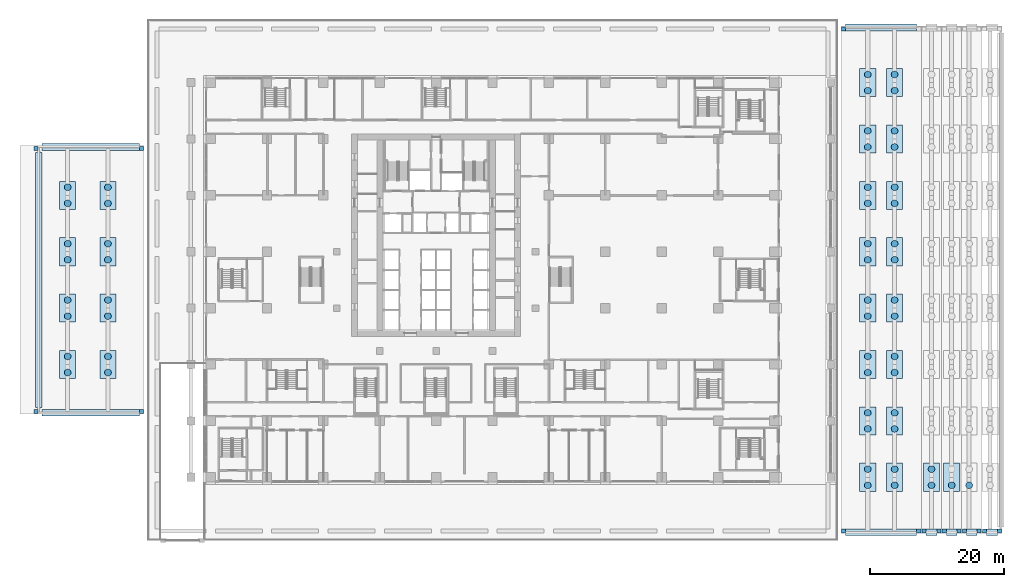
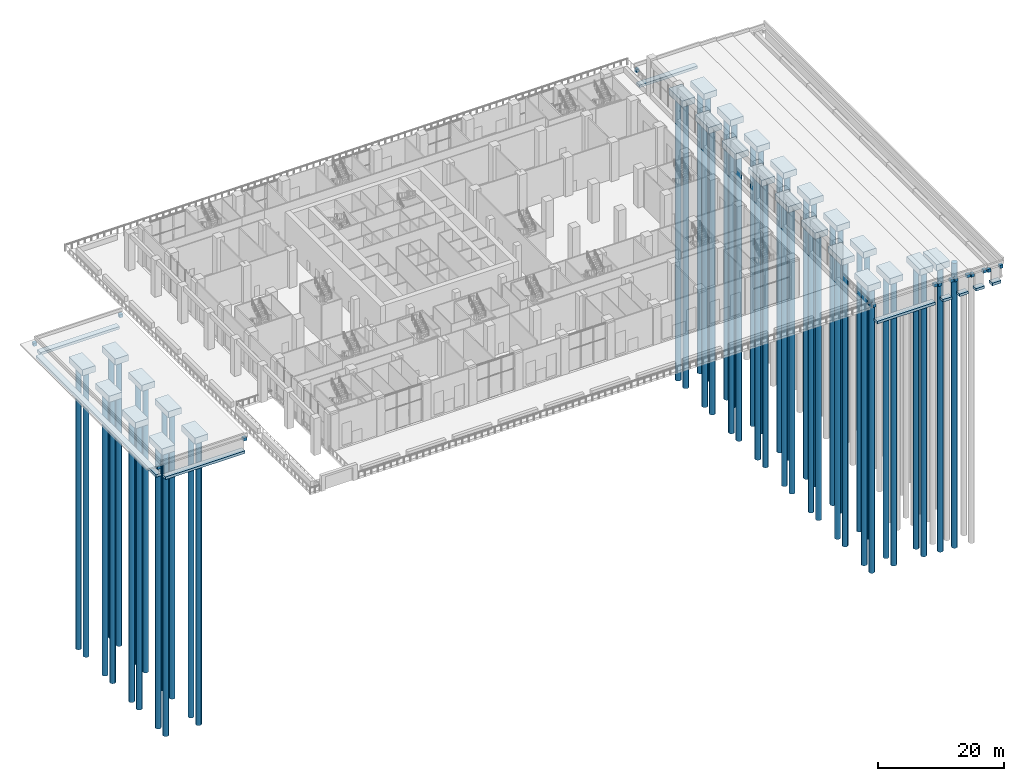
# One storey, part 1 of 53: 52 piles, 50 footings.
"""IFC4 building model written with IfcOpenShell, lengths in metres."""

from ifc_helpers import new_model, si_unit, direction, frame, origin, origin_2d, place, context, subcontext, project, spatial, polyline, circle, outline, extrude, material, layer, layer_set, type_object, element, save


model = new_model("IFC4")

# Units and contexts
model_context = context("Model", 3, precision=1e-05, world=origin(), true_north=direction((0.0, 1.0)))
body_context = subcontext(model_context, "Body", "Model", "MODEL_VIEW")
ifc_project = project(units=[si_unit("LENGTHUNIT", "METRE"), si_unit("AREAUNIT", "SQUARE_METRE"), si_unit("VOLUMEUNIT", "CUBIC_METRE"), si_unit("PLANEANGLEUNIT", "RADIAN"), si_unit("MASSUNIT", "GRAM", prefix="KILO")], contexts=[model_context])

# Site, building, storey
site_placement = place(None, origin())
site = spatial("IfcSite", under=ifc_project, at=site_placement, CompositionType="ELEMENT")
building_placement = place(site_placement, origin())
building = spatial("IfcBuilding", under=site, at=building_placement, Name="Vermilion Ogive Tower", CompositionType="ELEMENT")
storey_placement = place(building_placement, origin())
storey = spatial("IfcBuildingStorey", under=building, at=storey_placement, Name="L00", CompositionType="ELEMENT", Elevation=0.0)

# Piles
ifc_material_1 = material(Name="Concrete B45", Category="concrete")
pile_type = type_object("IfcPileType", Name="Quay bored pile QP1 D1000", PredefinedType="BORED", material=ifc_material_1)
for number, where, z_axis, x_axis, name in (
    (1, (64.300048828125, -30.60009765625, -2.5), (0.0, 0.0, -1.0), (1.0, 0.0, 0.0), "Quay pile SITE-PROM-L0 1.1"),
    (2, (64.300048828125, -28.199951171875, -2.5), (0.0, 0.0, -1.0), (1.0, 0.0, 0.0), "Quay pile SITE-PROM-L0 1.2"),
    (3, (64.300048828125, -22.199951171875, -2.5), (0.0, 0.0, -1.0), (1.0, 0.0, 0.0), "Quay pile SITE-PROM-L0 2.1"),
    (4, (64.300048828125, -19.800048828125, -2.5), (0.0, 0.0, -1.0), (1.0, 0.0, 0.0), "Quay pile SITE-PROM-L0 2.2"),
    (5, (64.300048828125, -13.800048828125, -2.5), (0.0, 0.0, -1.0), (1.0, 0.0, 0.0), "Quay pile SITE-PROM-L0 3.1"),
    (6, (64.300048828125, -11.39990234375, -2.5), (0.0, 0.0, -1.0), (1.0, 0.0, 0.0), "Quay pile SITE-PROM-L0 3.2"),
    (7, (64.300048828125, -5.39990234375, -2.5), (0.0, 0.0, -1.0), (1.0, 0.0, 0.0), "Quay pile SITE-PROM-L0 4.1"),
    (8, (64.300048828125, -3.0, -2.5), (0.0, 0.0, -1.0), (1.0, 0.0, 0.0), "Quay pile SITE-PROM-L0 4.2"),
    (9, (64.300048828125, 3.0, -2.5), (0.0, 0.0, -1.0), (1.0, 0.0, 0.0), "Quay pile SITE-PROM-L0 5.1"),
    (10, (64.300048828125, 5.39990234375, -2.5), (0.0, 0.0, -1.0), (1.0, 0.0, 0.0), "Quay pile SITE-PROM-L0 5.2"),
    (11, (64.300048828125, 11.39990234375, -2.5), (0.0, 0.0, -1.0), (1.0, 0.0, 0.0), "Quay pile SITE-PROM-L0 6.1"),
    (12, (64.300048828125, 13.800048828125, -2.5), (0.0, 0.0, -1.0), (1.0, 0.0, 0.0), "Quay pile SITE-PROM-L0 6.2"),
    (13, (64.300048828125, 19.800048828125, -2.5), (0.0, 0.0, -1.0), (1.0, 0.0, 0.0), "Quay pile SITE-PROM-L0 7.1"),
    (14, (64.300048828125, 22.199951171875, -2.5), (0.0, 0.0, -1.0), (1.0, 0.0, 0.0), "Quay pile SITE-PROM-L0 7.2"),
    (15, (64.300048828125, 28.199951171875, -2.5), (0.0, 0.0, -1.0), (1.0, 0.0, 0.0), "Quay pile SITE-PROM-L0 8.1"),
    (16, (64.300048828125, 30.60009765625, -2.5), (0.0, 0.0, -1.0), (1.0, 0.0, 0.0), "Quay pile SITE-PROM-L0 8.2"),
    (17, (68.300048828125, -30.60009765625, -2.5), (0.0, 0.0, -1.0), (1.0, 0.0, 0.0), "Quay pile SITE-PROM-L1 1.1"),
    (18, (68.300048828125, -28.199951171875, -2.5), (0.0, 0.0, -1.0), (1.0, 0.0, 0.0), "Quay pile SITE-PROM-L1 1.2"),
    (19, (68.300048828125, -22.199951171875, -2.5), (0.0, 0.0, -1.0), (1.0, 0.0, 0.0), "Quay pile SITE-PROM-L1 2.1"),
    (20, (68.300048828125, -19.800048828125, -2.5), (0.0, 0.0, -1.0), (1.0, 0.0, 0.0), "Quay pile SITE-PROM-L1 2.2"),
    (21, (68.300048828125, -13.800048828125, -2.5), (0.0, 0.0, -1.0), (1.0, 0.0, 0.0), "Quay pile SITE-PROM-L1 3.1"),
    (22, (68.300048828125, -11.39990234375, -2.5), (0.0, 0.0, -1.0), (1.0, 0.0, 0.0), "Quay pile SITE-PROM-L1 3.2"),
    (23, (68.300048828125, -5.39990234375, -2.5), (0.0, 0.0, -1.0), (1.0, 0.0, 0.0), "Quay pile SITE-PROM-L1 4.1"),
    (24, (68.300048828125, -3.0, -2.5), (0.0, 0.0, -1.0), (1.0, 0.0, 0.0), "Quay pile SITE-PROM-L1 4.2"),
    (25, (68.300048828125, 3.0, -2.5), (0.0, 0.0, -1.0), (1.0, 0.0, 0.0), "Quay pile SITE-PROM-L1 5.1"),
    (26, (68.300048828125, 5.39990234375, -2.5), (0.0, 0.0, -1.0), (1.0, 0.0, 0.0), "Quay pile SITE-PROM-L1 5.2"),
    (27, (68.300048828125, 11.39990234375, -2.5), (0.0, 0.0, -1.0), (1.0, 0.0, 0.0), "Quay pile SITE-PROM-L1 6.1"),
    (28, (68.300048828125, 13.800048828125, -2.5), (0.0, 0.0, -1.0), (1.0, 0.0, 0.0), "Quay pile SITE-PROM-L1 6.2"),
    (29, (68.300048828125, 19.800048828125, -2.5), (0.0, 0.0, -1.0), (1.0, 0.0, 0.0), "Quay pile SITE-PROM-L1 7.1"),
    (30, (68.300048828125, 22.199951171875, -2.5), (0.0, 0.0, -1.0), (1.0, 0.0, 0.0), "Quay pile SITE-PROM-L1 7.2"),
    (31, (68.300048828125, 28.199951171875, -2.5), (0.0, 0.0, -1.0), (1.0, 0.0, 0.0), "Quay pile SITE-PROM-L1 8.1"),
    (32, (68.300048828125, 30.60009765625, -2.5), (0.0, 0.0, -1.0), (1.0, 0.0, 0.0), "Quay pile SITE-PROM-L1 8.2"),
    (33, (73.800048828125, -30.60009765625, -2.64990234375), (0.0, 0.0, -1.0), (1.0, 0.0, 0.0), "Quay pile SITE-STEP-1-L 1.1"),
    (34, (73.800048828125, -28.199951171875, -2.64990234375), (0.0, 0.0, -1.0), (1.0, 0.0, 0.0), "Quay pile SITE-STEP-1-L 1.2"),
    (35, (76.800048828125, -30.60009765625, -2.800048828125), (0.0, 0.0, -1.0), (1.0, 0.0, 0.0), "Quay pile SITE-STEP-2-L 1.1"),
    (36, (79.39990234375, -30.60009765625, -2.949951171875), (0.0, 0.0, -1.0), (1.0, 0.0, 0.0), "Quay pile SITE-STEP-3-L 1.1"),
    (37, (-54.89990234375, -13.800048828125, -2.449951171875), (0.0, 0.0, -1.0), (1.0, 0.0, 0.0), "Quay pile SITE-DROP-L0 1.1"),
    (38, (-54.89990234375, -11.39990234375, -2.449951171875), (0.0, 0.0, -1.0), (1.0, 0.0, 0.0), "Quay pile SITE-DROP-L0 1.2"),
    (39, (-54.89990234375, -5.39990234375, -2.449951171875), (0.0, 0.0, -1.0), (1.0, 0.0, 0.0), "Quay pile SITE-DROP-L0 2.1"),
    (40, (-54.89990234375, -3.0, -2.449951171875), (0.0, 0.0, -1.0), (1.0, 0.0, 0.0), "Quay pile SITE-DROP-L0 2.2"),
    (41, (-54.89990234375, 3.0, -2.449951171875), (0.0, 0.0, -1.0), (1.0, 0.0, 0.0), "Quay pile SITE-DROP-L0 3.1"),
    (42, (-54.89990234375, 5.39990234375, -2.449951171875), (0.0, 0.0, -1.0), (1.0, 0.0, 0.0), "Quay pile SITE-DROP-L0 3.2"),
    (43, (-54.89990234375, 11.39990234375, -2.449951171875), (0.0, 0.0, -1.0), (1.0, 0.0, 0.0), "Quay pile SITE-DROP-L0 4.1"),
    (44, (-54.89990234375, 13.800048828125, -2.449951171875), (0.0, 0.0, -1.0), (1.0, 0.0, 0.0), "Quay pile SITE-DROP-L0 4.2"),
    (45, (-48.89990234375, -13.800048828125, -2.449951171875), (0.0, 0.0, -1.0), (1.0, 0.0, 0.0), "Quay pile SITE-DROP-L1 1.1"),
    (46, (-48.89990234375, -11.39990234375, -2.449951171875), (0.0, 0.0, -1.0), (1.0, 0.0, 0.0), "Quay pile SITE-DROP-L1 1.2"),
    (47, (-48.89990234375, -5.39990234375, -2.449951171875), (0.0, 0.0, -1.0), (1.0, 0.0, 0.0), "Quay pile SITE-DROP-L1 2.1"),
    (48, (-48.89990234375, -3.0, -2.449951171875), (0.0, 0.0, -1.0), (1.0, 0.0, 0.0), "Quay pile SITE-DROP-L1 2.2"),
    (49, (-48.89990234375, 3.0, -2.449951171875), (0.0, 0.0, -1.0), (1.0, 0.0, 0.0), "Quay pile SITE-DROP-L1 3.1"),
    (50, (-48.89990234375, 5.39990234375, -2.449951171875), (0.0, 0.0, -1.0), (1.0, 0.0, 0.0), "Quay pile SITE-DROP-L1 3.2"),
    (51, (-48.89990234375, 11.39990234375, -2.449951171875), (0.0, 0.0, -1.0), (1.0, 0.0, 0.0), "Quay pile SITE-DROP-L1 4.1"),
    (52, (-48.89990234375, 13.800048828125, -2.449951171875), (0.0, 0.0, -1.0), (1.0, 0.0, 0.0), "Quay pile SITE-DROP-L1 4.2"),
):
    element("IfcPile", number, at=place(storey_placement, frame(where, z_axis=z_axis, x_axis=x_axis)), inside=storey, type_object=pile_type, Name=name, PredefinedType="BORED", context=body_context, shape_type="SweptSolid", body=[
        extrude(circle(Radius=0.5, at=origin_2d()), origin(), (0.0, 0.0, 1.0), 55.0),
    ])

# Footings
ifc_material_2 = material(Name="Concrete B50", Category="concrete")
ifc_layer_1 = layer(ifc_material_2, 1.199951171875)
ifc_layer_set_1 = layer_set([ifc_layer_1], Name="Quay pile cap QC1")
footing_type_1 = type_object("IfcFootingType", Name="Quay pile cap QC1", PredefinedType="PILE_CAP", material=ifc_layer_set_1)
footing_1_placement = place(storey_placement, frame((0.0, 0.0, -2.60009765625)))
element("IfcFooting", 53, at=footing_1_placement, inside=storey, type_object=footing_type_1, Name="Quay pile cap SITE-PROM-L0 1", PredefinedType="PILE_CAP", context=body_context, shape_type="SweptSolid", body=[
    extrude(outline(polyline([(65.5, -31.5), (65.5, -27.300048828125), (63.10009765625, -27.300048828125), (63.10009765625, -31.5), (65.5, -31.5)])), origin(), (0.0, 0.0, 1.0), 1.199951171875),
])
footing_2_placement = place(storey_placement, frame((0.0, 0.0, -2.60009765625)))
element("IfcFooting", 54, at=footing_2_placement, inside=storey, type_object=footing_type_1, Name="Quay pile cap SITE-PROM-L0 2", PredefinedType="PILE_CAP", context=body_context, shape_type="SweptSolid", body=[
    extrude(outline(polyline([(65.5, -23.10009765625), (65.5, -18.89990234375), (63.10009765625, -18.89990234375), (63.10009765625, -23.10009765625), (65.5, -23.10009765625)])), origin(), (0.0, 0.0, 1.0), 1.199951171875),
])
footing_3_placement = place(storey_placement, frame((0.0, 0.0, -2.60009765625)))
element("IfcFooting", 55, at=footing_3_placement, inside=storey, type_object=footing_type_1, Name="Quay pile cap SITE-PROM-L0 3", PredefinedType="PILE_CAP", context=body_context, shape_type="SweptSolid", body=[
    extrude(outline(polyline([(65.5, -14.699951171875), (65.5, -10.5), (63.10009765625, -10.5), (63.10009765625, -14.699951171875), (65.5, -14.699951171875)])), origin(), (0.0, 0.0, 1.0), 1.199951171875),
])
footing_4_placement = place(storey_placement, frame((0.0, 0.0, -2.60009765625)))
element("IfcFooting", 56, at=footing_4_placement, inside=storey, type_object=footing_type_1, Name="Quay pile cap SITE-PROM-L0 4", PredefinedType="PILE_CAP", context=body_context, shape_type="SweptSolid", body=[
    extrude(outline(polyline([(65.5, -6.300048828125), (65.5, -2.10009765625), (63.10009765625, -2.10009765625), (63.10009765625, -6.300048828125), (65.5, -6.300048828125)])), origin(), (0.0, 0.0, 1.0), 1.199951171875),
])
footing_5_placement = place(storey_placement, frame((0.0, 0.0, -2.60009765625)))
element("IfcFooting", 57, at=footing_5_placement, inside=storey, type_object=footing_type_1, Name="Quay pile cap SITE-PROM-L0 5", PredefinedType="PILE_CAP", context=body_context, shape_type="SweptSolid", body=[
    extrude(outline(polyline([(65.5, 2.10009765625), (65.5, 6.300048828125), (63.10009765625, 6.300048828125), (63.10009765625, 2.10009765625), (65.5, 2.10009765625)])), origin(), (0.0, 0.0, 1.0), 1.199951171875),
])
footing_6_placement = place(storey_placement, frame((0.0, 0.0, -2.60009765625)))
element("IfcFooting", 58, at=footing_6_placement, inside=storey, type_object=footing_type_1, Name="Quay pile cap SITE-PROM-L0 6", PredefinedType="PILE_CAP", context=body_context, shape_type="SweptSolid", body=[
    extrude(outline(polyline([(65.5, 10.5), (65.5, 14.699951171875), (63.10009765625, 14.699951171875), (63.10009765625, 10.5), (65.5, 10.5)])), origin(), (0.0, 0.0, 1.0), 1.199951171875),
])
footing_7_placement = place(storey_placement, frame((0.0, 0.0, -2.60009765625)))
element("IfcFooting", 59, at=footing_7_placement, inside=storey, type_object=footing_type_1, Name="Quay pile cap SITE-PROM-L0 7", PredefinedType="PILE_CAP", context=body_context, shape_type="SweptSolid", body=[
    extrude(outline(polyline([(65.5, 18.89990234375), (65.5, 23.10009765625), (63.10009765625, 23.10009765625), (63.10009765625, 18.89990234375), (65.5, 18.89990234375)])), origin(), (0.0, 0.0, 1.0), 1.199951171875),
])
footing_8_placement = place(storey_placement, frame((0.0, 0.0, -2.60009765625)))
element("IfcFooting", 60, at=footing_8_placement, inside=storey, type_object=footing_type_1, Name="Quay pile cap SITE-PROM-L0 8", PredefinedType="PILE_CAP", context=body_context, shape_type="SweptSolid", body=[
    extrude(outline(polyline([(65.5, 27.300048828125), (65.5, 31.5), (63.10009765625, 31.5), (63.10009765625, 27.300048828125), (65.5, 27.300048828125)])), origin(), (0.0, 0.0, 1.0), 1.199951171875),
])
footing_9_placement = place(storey_placement, frame((0.0, 0.0, -2.60009765625)))
element("IfcFooting", 61, at=footing_9_placement, inside=storey, type_object=footing_type_1, Name="Quay pile cap SITE-PROM-L1 1", PredefinedType="PILE_CAP", context=body_context, shape_type="SweptSolid", body=[
    extrude(outline(polyline([(69.5, -31.5), (69.5, -27.300048828125), (67.10009765625, -27.300048828125), (67.10009765625, -31.5), (69.5, -31.5)])), origin(), (0.0, 0.0, 1.0), 1.199951171875),
])
footing_10_placement = place(storey_placement, frame((0.0, 0.0, -2.60009765625)))
element("IfcFooting", 62, at=footing_10_placement, inside=storey, type_object=footing_type_1, Name="Quay pile cap SITE-PROM-L1 2", PredefinedType="PILE_CAP", context=body_context, shape_type="SweptSolid", body=[
    extrude(outline(polyline([(69.5, -23.10009765625), (69.5, -18.89990234375), (67.10009765625, -18.89990234375), (67.10009765625, -23.10009765625), (69.5, -23.10009765625)])), origin(), (0.0, 0.0, 1.0), 1.199951171875),
])
footing_11_placement = place(storey_placement, frame((0.0, 0.0, -2.60009765625)))
element("IfcFooting", 63, at=footing_11_placement, inside=storey, type_object=footing_type_1, Name="Quay pile cap SITE-PROM-L1 3", PredefinedType="PILE_CAP", context=body_context, shape_type="SweptSolid", body=[
    extrude(outline(polyline([(69.5, -14.699951171875), (69.5, -10.5), (67.10009765625, -10.5), (67.10009765625, -14.699951171875), (69.5, -14.699951171875)])), origin(), (0.0, 0.0, 1.0), 1.199951171875),
])
footing_12_placement = place(storey_placement, frame((0.0, 0.0, -2.60009765625)))
element("IfcFooting", 64, at=footing_12_placement, inside=storey, type_object=footing_type_1, Name="Quay pile cap SITE-PROM-L1 4", PredefinedType="PILE_CAP", context=body_context, shape_type="SweptSolid", body=[
    extrude(outline(polyline([(69.5, -6.300048828125), (69.5, -2.10009765625), (67.10009765625, -2.10009765625), (67.10009765625, -6.300048828125), (69.5, -6.300048828125)])), origin(), (0.0, 0.0, 1.0), 1.199951171875),
])
footing_13_placement = place(storey_placement, frame((0.0, 0.0, -2.60009765625)))
element("IfcFooting", 65, at=footing_13_placement, inside=storey, type_object=footing_type_1, Name="Quay pile cap SITE-PROM-L1 5", PredefinedType="PILE_CAP", context=body_context, shape_type="SweptSolid", body=[
    extrude(outline(polyline([(69.5, 2.10009765625), (69.5, 6.300048828125), (67.10009765625, 6.300048828125), (67.10009765625, 2.10009765625), (69.5, 2.10009765625)])), origin(), (0.0, 0.0, 1.0), 1.199951171875),
])
footing_14_placement = place(storey_placement, frame((0.0, 0.0, -2.60009765625)))
element("IfcFooting", 66, at=footing_14_placement, inside=storey, type_object=footing_type_1, Name="Quay pile cap SITE-PROM-L1 6", PredefinedType="PILE_CAP", context=body_context, shape_type="SweptSolid", body=[
    extrude(outline(polyline([(69.5, 10.5), (69.5, 14.699951171875), (67.10009765625, 14.699951171875), (67.10009765625, 10.5), (69.5, 10.5)])), origin(), (0.0, 0.0, 1.0), 1.199951171875),
])
footing_15_placement = place(storey_placement, frame((0.0, 0.0, -2.60009765625)))
element("IfcFooting", 67, at=footing_15_placement, inside=storey, type_object=footing_type_1, Name="Quay pile cap SITE-PROM-L1 7", PredefinedType="PILE_CAP", context=body_context, shape_type="SweptSolid", body=[
    extrude(outline(polyline([(69.5, 18.89990234375), (69.5, 23.10009765625), (67.10009765625, 23.10009765625), (67.10009765625, 18.89990234375), (69.5, 18.89990234375)])), origin(), (0.0, 0.0, 1.0), 1.199951171875),
])
footing_16_placement = place(storey_placement, frame((0.0, 0.0, -2.60009765625)))
element("IfcFooting", 68, at=footing_16_placement, inside=storey, type_object=footing_type_1, Name="Quay pile cap SITE-PROM-L1 8", PredefinedType="PILE_CAP", context=body_context, shape_type="SweptSolid", body=[
    extrude(outline(polyline([(69.5, 27.300048828125), (69.5, 31.5), (67.10009765625, 31.5), (67.10009765625, 27.300048828125), (69.5, 27.300048828125)])), origin(), (0.0, 0.0, 1.0), 1.199951171875),
])
footing_17_placement = place(storey_placement, frame((0.0, 0.0, -2.75)))
element("IfcFooting", 69, at=footing_17_placement, inside=storey, type_object=footing_type_1, Name="Quay pile cap SITE-STEP-1-L 1", PredefinedType="PILE_CAP", context=body_context, shape_type="SweptSolid", body=[
    extrude(outline(polyline([(75.0, -31.5), (75.0, -27.300048828125), (72.60009765625, -27.300048828125), (72.60009765625, -31.5), (75.0, -31.5)])), origin(), (0.0, 0.0, 1.0), 1.199951171875),
])
footing_18_placement = place(storey_placement, frame((0.0, 0.0, -2.900146484375)))
element("IfcFooting", 70, at=footing_18_placement, inside=storey, type_object=footing_type_1, Name="Quay pile cap SITE-STEP-2-L 1", PredefinedType="PILE_CAP", context=body_context, shape_type="SweptSolid", body=[
    extrude(outline(polyline([(78.0, -31.5), (78.0, -27.300048828125), (75.60009765625, -27.300048828125), (75.60009765625, -31.5), (78.0, -31.5)])), origin(), (0.0, 0.0, 1.0), 1.199951171875),
])
footing_19_placement = place(storey_placement, frame((0.0, 0.0, -2.550048828125)))
element("IfcFooting", 71, at=footing_19_placement, inside=storey, type_object=footing_type_1, Name="Quay pile cap SITE-DROP-L0 1", PredefinedType="PILE_CAP", context=body_context, shape_type="SweptSolid", body=[
    extrude(outline(polyline([(-53.699951171875, -14.699951171875), (-53.699951171875, -10.5), (-56.099853515625, -10.5), (-56.099853515625, -14.699951171875), (-53.699951171875, -14.699951171875)])), origin(), (0.0, 0.0, 1.0), 1.199951171875),
])
footing_20_placement = place(storey_placement, frame((0.0, 0.0, -2.550048828125)))
element("IfcFooting", 72, at=footing_20_placement, inside=storey, type_object=footing_type_1, Name="Quay pile cap SITE-DROP-L0 2", PredefinedType="PILE_CAP", context=body_context, shape_type="SweptSolid", body=[
    extrude(outline(polyline([(-53.699951171875, -6.300048828125), (-53.699951171875, -2.10009765625), (-56.099853515625, -2.10009765625), (-56.099853515625, -6.300048828125), (-53.699951171875, -6.300048828125)])), origin(), (0.0, 0.0, 1.0), 1.199951171875),
])
footing_21_placement = place(storey_placement, frame((0.0, 0.0, -2.550048828125)))
element("IfcFooting", 73, at=footing_21_placement, inside=storey, type_object=footing_type_1, Name="Quay pile cap SITE-DROP-L0 3", PredefinedType="PILE_CAP", context=body_context, shape_type="SweptSolid", body=[
    extrude(outline(polyline([(-53.699951171875, 2.10009765625), (-53.699951171875, 6.300048828125), (-56.099853515625, 6.300048828125), (-56.099853515625, 2.10009765625), (-53.699951171875, 2.10009765625)])), origin(), (0.0, 0.0, 1.0), 1.199951171875),
])
footing_22_placement = place(storey_placement, frame((0.0, 0.0, -2.550048828125)))
element("IfcFooting", 74, at=footing_22_placement, inside=storey, type_object=footing_type_1, Name="Quay pile cap SITE-DROP-L0 4", PredefinedType="PILE_CAP", context=body_context, shape_type="SweptSolid", body=[
    extrude(outline(polyline([(-53.699951171875, 10.5), (-53.699951171875, 14.699951171875), (-56.099853515625, 14.699951171875), (-56.099853515625, 10.5), (-53.699951171875, 10.5)])), origin(), (0.0, 0.0, 1.0), 1.199951171875),
])
footing_23_placement = place(storey_placement, frame((0.0, 0.0, -2.550048828125)))
element("IfcFooting", 75, at=footing_23_placement, inside=storey, type_object=footing_type_1, Name="Quay pile cap SITE-DROP-L1 1", PredefinedType="PILE_CAP", context=body_context, shape_type="SweptSolid", body=[
    extrude(outline(polyline([(-47.699951171875, -14.699951171875), (-47.699951171875, -10.5), (-50.099853515625, -10.5), (-50.099853515625, -14.699951171875), (-47.699951171875, -14.699951171875)])), origin(), (0.0, 0.0, 1.0), 1.199951171875),
])
footing_24_placement = place(storey_placement, frame((0.0, 0.0, -2.550048828125)))
element("IfcFooting", 76, at=footing_24_placement, inside=storey, type_object=footing_type_1, Name="Quay pile cap SITE-DROP-L1 2", PredefinedType="PILE_CAP", context=body_context, shape_type="SweptSolid", body=[
    extrude(outline(polyline([(-47.699951171875, -6.300048828125), (-47.699951171875, -2.10009765625), (-50.099853515625, -2.10009765625), (-50.099853515625, -6.300048828125), (-47.699951171875, -6.300048828125)])), origin(), (0.0, 0.0, 1.0), 1.199951171875),
])
footing_25_placement = place(storey_placement, frame((0.0, 0.0, -2.550048828125)))
element("IfcFooting", 77, at=footing_25_placement, inside=storey, type_object=footing_type_1, Name="Quay pile cap SITE-DROP-L1 3", PredefinedType="PILE_CAP", context=body_context, shape_type="SweptSolid", body=[
    extrude(outline(polyline([(-47.699951171875, 2.10009765625), (-47.699951171875, 6.300048828125), (-50.099853515625, 6.300048828125), (-50.099853515625, 2.10009765625), (-47.699951171875, 2.10009765625)])), origin(), (0.0, 0.0, 1.0), 1.199951171875),
])
footing_26_placement = place(storey_placement, frame((0.0, 0.0, -2.550048828125)))
element("IfcFooting", 78, at=footing_26_placement, inside=storey, type_object=footing_type_1, Name="Quay pile cap SITE-DROP-L1 4", PredefinedType="PILE_CAP", context=body_context, shape_type="SweptSolid", body=[
    extrude(outline(polyline([(-47.699951171875, 10.5), (-47.699951171875, 14.699951171875), (-50.099853515625, 14.699951171875), (-50.099853515625, 10.5), (-47.699951171875, 10.5)])), origin(), (0.0, 0.0, 1.0), 1.199951171875),
])
ifc_material_3 = material(Name="Concrete B50", Category="concrete")
ifc_layer_2 = layer(ifc_material_3, 0.5)
ifc_layer_set_2 = layer_set([ifc_layer_2], Name="Quay wall footing QF1")
footing_type_2 = type_object("IfcFootingType", Name="Quay wall footing QF1", PredefinedType="STRIP_FOOTING", material=ifc_layer_set_2)
footing_27_placement = place(storey_placement, frame((0.0, 0.0, -4.0)))
element("IfcFooting", 79, at=footing_27_placement, inside=storey, type_object=footing_type_2, Name="Quay wall footing SITE-PROM S", PredefinedType="STRIP_FOOTING", context=body_context, shape_type="SweptSolid", body=[
    extrude(outline(polyline([(71.60009765625, -38.10009765625), (71.60009765625, -37.10009765625), (61.0, -37.10009765625), (61.0, -38.10009765625), (71.60009765625, -38.10009765625)])), origin(), (0.0, 0.0, 1.0), 0.5),
])
footing_28_placement = place(storey_placement, frame((0.0, 0.0, -4.0)))
element("IfcFooting", 80, at=footing_28_placement, inside=storey, type_object=footing_type_2, Name="Quay wall footing SITE-PROM N", PredefinedType="STRIP_FOOTING", context=body_context, shape_type="SweptSolid", body=[
    extrude(outline(polyline([(71.60009765625, 37.10009765625), (71.60009765625, 38.10009765625), (61.0, 38.10009765625), (61.0, 37.10009765625), (71.60009765625, 37.10009765625)])), origin(), (0.0, 0.0, 1.0), 0.5),
])
footing_29_placement = place(storey_placement, frame((0.0, 0.0, -4.0)))
element("IfcFooting", 81, at=footing_29_placement, inside=storey, type_object=footing_type_2, Name="Quay wall footing SITE-STEP-1 S", PredefinedType="STRIP_FOOTING", context=body_context, shape_type="SweptSolid", body=[
    extrude(outline(polyline([(74.60009765625, -38.10009765625), (74.60009765625, -37.10009765625), (73.0, -37.10009765625), (73.0, -38.10009765625), (74.60009765625, -38.10009765625)])), origin(), (0.0, 0.0, 1.0), 0.5),
])
footing_30_placement = place(storey_placement, frame((0.0, 0.0, -4.0)))
element("IfcFooting", 82, at=footing_30_placement, inside=storey, type_object=footing_type_2, Name="Quay wall footing SITE-STEP-2 S", PredefinedType="STRIP_FOOTING", context=body_context, shape_type="SweptSolid", body=[
    extrude(outline(polyline([(77.60009765625, -38.10009765625), (77.60009765625, -37.10009765625), (76.0, -37.10009765625), (76.0, -38.10009765625), (77.60009765625, -38.10009765625)])), origin(), (0.0, 0.0, 1.0), 0.5),
])
footing_31_placement = place(storey_placement, frame((0.0, 0.0, -4.0)))
element("IfcFooting", 83, at=footing_31_placement, inside=storey, type_object=footing_type_2, Name="Quay wall footing SITE-STEP-3 S", PredefinedType="STRIP_FOOTING", context=body_context, shape_type="SweptSolid", body=[
    extrude(outline(polyline([(80.60009765625, -38.10009765625), (80.60009765625, -37.10009765625), (79.0, -37.10009765625), (79.0, -38.10009765625), (80.60009765625, -38.10009765625)])), origin(), (0.0, 0.0, 1.0), 0.5),
])
footing_32_placement = place(storey_placement, frame((0.0, 0.0, -4.0)))
element("IfcFooting", 84, at=footing_32_placement, inside=storey, type_object=footing_type_2, Name="Quay wall footing SITE-STEP-4 S", PredefinedType="STRIP_FOOTING", context=body_context, shape_type="SweptSolid", body=[
    extrude(outline(polyline([(83.60009765625, -38.10009765625), (83.60009765625, -37.10009765625), (82.0, -37.10009765625), (82.0, -38.10009765625), (83.60009765625, -38.10009765625)])), origin(), (0.0, 0.0, 1.0), 0.5),
])
footing_33_placement = place(storey_placement, frame((0.0, 0.0, -2.949951171875)))
element("IfcFooting", 85, at=footing_33_placement, inside=storey, type_object=footing_type_2, Name="Quay wall footing SITE-DROP S", PredefinedType="STRIP_FOOTING", context=body_context, shape_type="SweptSolid", body=[
    extrude(outline(polyline([(-44.199951171875, -20.300048828125), (-44.199951171875, -19.300048828125), (-58.699951171875, -19.300048828125), (-58.699951171875, -20.300048828125), (-44.199951171875, -20.300048828125)])), origin(), (0.0, 0.0, 1.0), 0.5),
])
footing_34_placement = place(storey_placement, frame((0.0, 0.0, -2.949951171875)))
element("IfcFooting", 86, at=footing_34_placement, inside=storey, type_object=footing_type_2, Name="Quay wall footing SITE-DROP N", PredefinedType="STRIP_FOOTING", context=body_context, shape_type="SweptSolid", body=[
    extrude(outline(polyline([(-44.199951171875, 19.300048828125), (-44.199951171875, 20.300048828125), (-58.699951171875, 20.300048828125), (-58.699951171875, 19.300048828125), (-44.199951171875, 19.300048828125)])), origin(), (0.0, 0.0, 1.0), 0.5),
])
footing_35_placement = place(storey_placement, frame((0.0, 0.0, -2.949951171875)))
element("IfcFooting", 87, at=footing_35_placement, inside=storey, type_object=footing_type_2, Name="Quay wall footing SITE-DROP W", PredefinedType="STRIP_FOOTING", context=body_context, shape_type="SweptSolid", body=[
    extrude(outline(polyline([(-58.699951171875, -19.0), (-58.699951171875, 19.0), (-59.699951171875, 19.0), (-59.699951171875, -19.0), (-58.699951171875, -19.0)])), origin(), (0.0, 0.0, 1.0), 0.5),
])
ifc_material_4 = material(Name="Concrete B50", Category="concrete")
ifc_layer_3 = layer(ifc_material_4, 0.60009765625)
ifc_layer_set_3 = layer_set([ifc_layer_3], Name="Site pad footing SF1")
footing_type_3 = type_object("IfcFootingType", Name="Site pad footing SF1", PredefinedType="PAD_FOOTING", material=ifc_layer_set_3)
footing_36_placement = place(storey_placement, frame((0.0, 0.0, -0.89990234375)))
element("IfcFooting", 88, at=footing_36_placement, inside=storey, type_object=footing_type_3, Name="Site pad footing SITE-PROM-1", PredefinedType="PAD_FOOTING", context=body_context, shape_type="SweptSolid", body=[
    extrude(outline(polyline([(61.0, -37.699951171875), (61.0, -37.099853515625), (60.39990234375, -37.099853515625), (60.39990234375, -37.699951171875), (61.0, -37.699951171875)])), origin(), (0.0, 0.0, 1.0), 0.599853515625),
])
footing_37_placement = place(storey_placement, frame((0.0, 0.0, -0.89990234375)))
element("IfcFooting", 89, at=footing_37_placement, inside=storey, type_object=footing_type_3, Name="Site pad footing SITE-PROM-2", PredefinedType="PAD_FOOTING", context=body_context, shape_type="SweptSolid", body=[
    extrude(outline(polyline([(72.2001953125, -37.699951171875), (72.2001953125, -37.099853515625), (71.60009765625, -37.099853515625), (71.60009765625, -37.699951171875), (72.2001953125, -37.699951171875)])), origin(), (0.0, 0.0, 1.0), 0.599853515625),
])
footing_38_placement = place(storey_placement, frame((0.0, 0.0, -0.89990234375)))
element("IfcFooting", 90, at=footing_38_placement, inside=storey, type_object=footing_type_3, Name="Site pad footing SITE-PROM-3", PredefinedType="PAD_FOOTING", context=body_context, shape_type="SweptSolid", body=[
    extrude(outline(polyline([(61.0, 37.10009765625), (61.0, 37.7001953125), (60.39990234375, 37.7001953125), (60.39990234375, 37.10009765625), (61.0, 37.10009765625)])), origin(), (0.0, 0.0, 1.0), 0.599853515625),
])
footing_39_placement = place(storey_placement, frame((0.0, 0.0, -1.050048828125)))
element("IfcFooting", 91, at=footing_39_placement, inside=storey, type_object=footing_type_3, Name="Site pad footing SITE-STEP-1-1", PredefinedType="PAD_FOOTING", context=body_context, shape_type="SweptSolid", body=[
    extrude(outline(polyline([(73.0, -37.699951171875), (73.0, -37.099853515625), (72.39990234375, -37.099853515625), (72.39990234375, -37.699951171875), (73.0, -37.699951171875)])), origin(), (0.0, 0.0, 1.0), 0.60009765625),
])
footing_40_placement = place(storey_placement, frame((0.0, 0.0, -1.050048828125)))
element("IfcFooting", 92, at=footing_40_placement, inside=storey, type_object=footing_type_3, Name="Site pad footing SITE-STEP-1-2", PredefinedType="PAD_FOOTING", context=body_context, shape_type="SweptSolid", body=[
    extrude(outline(polyline([(75.2001953125, -37.699951171875), (75.2001953125, -37.099853515625), (74.60009765625, -37.099853515625), (74.60009765625, -37.699951171875), (75.2001953125, -37.699951171875)])), origin(), (0.0, 0.0, 1.0), 0.60009765625),
])
footing_41_placement = place(storey_placement, frame((0.0, 0.0, -1.199951171875)))
element("IfcFooting", 93, at=footing_41_placement, inside=storey, type_object=footing_type_3, Name="Site pad footing SITE-STEP-2-1", PredefinedType="PAD_FOOTING", context=body_context, shape_type="SweptSolid", body=[
    extrude(outline(polyline([(76.0, -37.699951171875), (76.0, -37.099853515625), (75.39990234375, -37.099853515625), (75.39990234375, -37.699951171875), (76.0, -37.699951171875)])), origin(), (0.0, 0.0, 1.0), 0.599853515625),
])
footing_42_placement = place(storey_placement, frame((0.0, 0.0, -1.199951171875)))
element("IfcFooting", 94, at=footing_42_placement, inside=storey, type_object=footing_type_3, Name="Site pad footing SITE-STEP-2-2", PredefinedType="PAD_FOOTING", context=body_context, shape_type="SweptSolid", body=[
    extrude(outline(polyline([(78.2001953125, -37.699951171875), (78.2001953125, -37.099853515625), (77.60009765625, -37.099853515625), (77.60009765625, -37.699951171875), (78.2001953125, -37.699951171875)])), origin(), (0.0, 0.0, 1.0), 0.599853515625),
])
footing_43_placement = place(storey_placement, frame((0.0, 0.0, -1.35009765625)))
element("IfcFooting", 95, at=footing_43_placement, inside=storey, type_object=footing_type_3, Name="Site pad footing SITE-STEP-3-1", PredefinedType="PAD_FOOTING", context=body_context, shape_type="SweptSolid", body=[
    extrude(outline(polyline([(79.0, -37.699951171875), (79.0, -37.099853515625), (78.39990234375, -37.099853515625), (78.39990234375, -37.699951171875), (79.0, -37.699951171875)])), origin(), (0.0, 0.0, 1.0), 0.60009765625),
])
footing_44_placement = place(storey_placement, frame((0.0, 0.0, -1.35009765625)))
element("IfcFooting", 96, at=footing_44_placement, inside=storey, type_object=footing_type_3, Name="Site pad footing SITE-STEP-3-2", PredefinedType="PAD_FOOTING", context=body_context, shape_type="SweptSolid", body=[
    extrude(outline(polyline([(81.2001953125, -37.699951171875), (81.2001953125, -37.099853515625), (80.60009765625, -37.099853515625), (80.60009765625, -37.699951171875), (81.2001953125, -37.699951171875)])), origin(), (0.0, 0.0, 1.0), 0.60009765625),
])
footing_45_placement = place(storey_placement, frame((0.0, 0.0, -1.5)))
element("IfcFooting", 97, at=footing_45_placement, inside=storey, type_object=footing_type_3, Name="Site pad footing SITE-STEP-4-1", PredefinedType="PAD_FOOTING", context=body_context, shape_type="SweptSolid", body=[
    extrude(outline(polyline([(82.0, -37.699951171875), (82.0, -37.099853515625), (81.39990234375, -37.099853515625), (81.39990234375, -37.699951171875), (82.0, -37.699951171875)])), origin(), (0.0, 0.0, 1.0), 0.60009765625),
])
footing_46_placement = place(storey_placement, frame((0.0, 0.0, -1.5)))
element("IfcFooting", 98, at=footing_46_placement, inside=storey, type_object=footing_type_3, Name="Site pad footing SITE-STEP-4-2", PredefinedType="PAD_FOOTING", context=body_context, shape_type="SweptSolid", body=[
    extrude(outline(polyline([(84.2001953125, -37.699951171875), (84.2001953125, -37.099853515625), (83.60009765625, -37.099853515625), (83.60009765625, -37.699951171875), (84.2001953125, -37.699951171875)])), origin(), (0.0, 0.0, 1.0), 0.60009765625),
])
footing_47_placement = place(storey_placement, frame((0.0, 0.0, -0.85009765625)))
element("IfcFooting", 99, at=footing_47_placement, inside=storey, type_object=footing_type_3, Name="Site pad footing SITE-DROP-1", PredefinedType="PAD_FOOTING", context=body_context, shape_type="SweptSolid", body=[
    extrude(outline(polyline([(-59.2998046875, -19.89990234375), (-59.2998046875, -19.2998046875), (-59.89990234375, -19.2998046875), (-59.89990234375, -19.89990234375), (-59.2998046875, -19.89990234375)])), origin(), (0.0, 0.0, 1.0), 0.60009765625),
])
footing_48_placement = place(storey_placement, frame((0.0, 0.0, -0.85009765625)))
element("IfcFooting", 100, at=footing_48_placement, inside=storey, type_object=footing_type_3, Name="Site pad footing SITE-DROP-2", PredefinedType="PAD_FOOTING", context=body_context, shape_type="SweptSolid", body=[
    extrude(outline(polyline([(-43.599853515625, -19.89990234375), (-43.599853515625, -19.2998046875), (-44.199951171875, -19.2998046875), (-44.199951171875, -19.89990234375), (-43.599853515625, -19.89990234375)])), origin(), (0.0, 0.0, 1.0), 0.60009765625),
])
footing_49_placement = place(storey_placement, frame((0.0, 0.0, -0.85009765625)))
element("IfcFooting", 101, at=footing_49_placement, inside=storey, type_object=footing_type_3, Name="Site pad footing SITE-DROP-3", PredefinedType="PAD_FOOTING", context=body_context, shape_type="SweptSolid", body=[
    extrude(outline(polyline([(-59.2998046875, 19.300048828125), (-59.2998046875, 19.900146484375), (-59.89990234375, 19.900146484375), (-59.89990234375, 19.300048828125), (-59.2998046875, 19.300048828125)])), origin(), (0.0, 0.0, 1.0), 0.60009765625),
])
footing_50_placement = place(storey_placement, frame((0.0, 0.0, -0.85009765625)))
element("IfcFooting", 102, at=footing_50_placement, inside=storey, type_object=footing_type_3, Name="Site pad footing SITE-DROP-4", PredefinedType="PAD_FOOTING", context=body_context, shape_type="SweptSolid", body=[
    extrude(outline(polyline([(-43.599853515625, 19.300048828125), (-43.599853515625, 19.900146484375), (-44.199951171875, 19.900146484375), (-44.199951171875, 19.300048828125), (-43.599853515625, 19.300048828125)])), origin(), (0.0, 0.0, 1.0), 0.60009765625),
])

save(model, "model.ifc")
